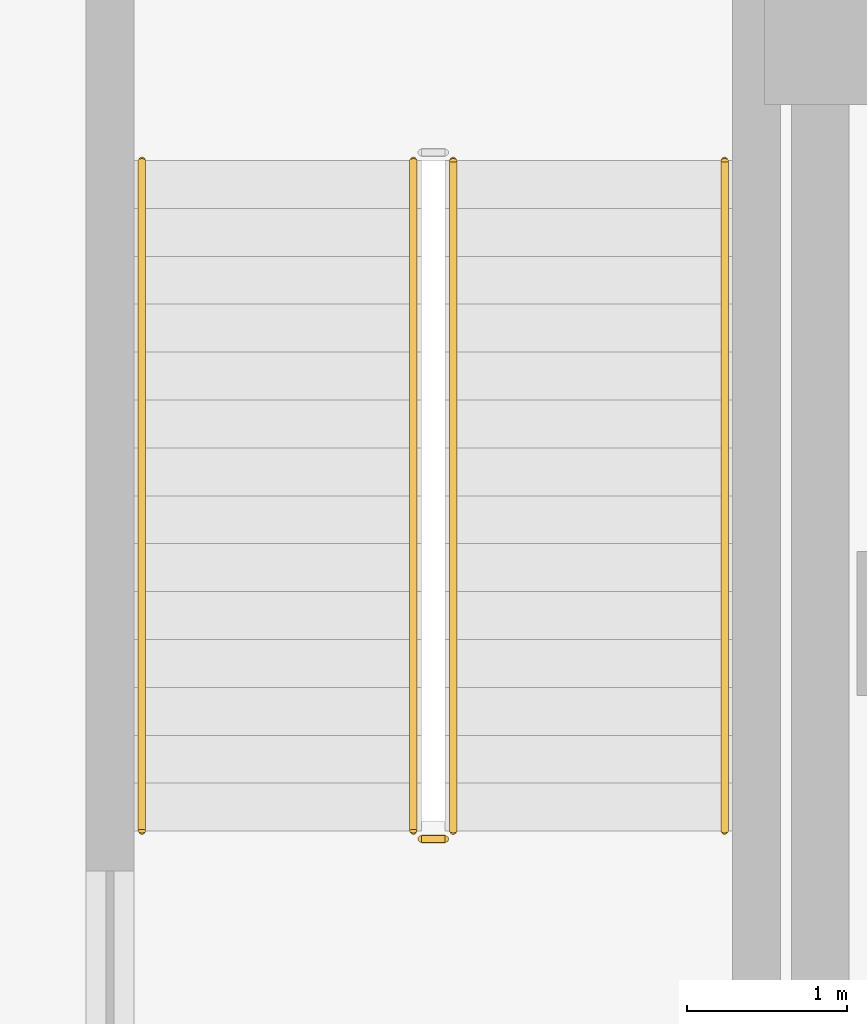
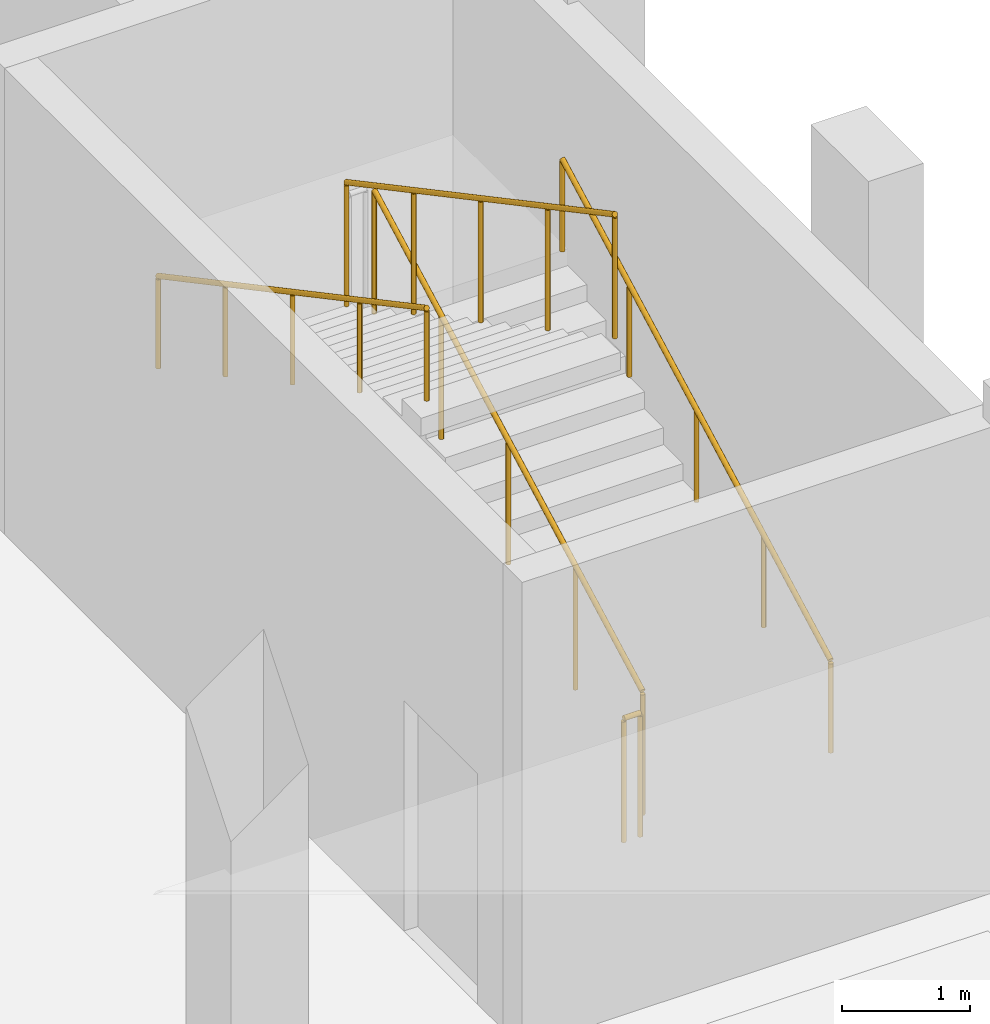
# One storey, part 55 of 59: 5 railings.
"""IFC4 building model written with IfcOpenShell, lengths in metres."""

from ifc_helpers import new_model, si_unit, direction, frame, origin, origin_2d, place, context, subcontext, project, spatial, circle, extrude, material, type_object, element, save


model = new_model("IFC4")

# Units and contexts
model_context = context("Model", 3, precision=1e-05, world=origin(), true_north=direction((0.0, 1.0)))
body_context = subcontext(model_context, "Body", "Model", "MODEL_VIEW")
ifc_project = project(units=[si_unit("LENGTHUNIT", "METRE"), si_unit("AREAUNIT", "SQUARE_METRE"), si_unit("VOLUMEUNIT", "CUBIC_METRE"), si_unit("PLANEANGLEUNIT", "RADIAN"), si_unit("MASSUNIT", "GRAM", prefix="KILO")], contexts=[model_context])

# Site, building, storey
site_placement = place(None, origin())
site = spatial("IfcSite", under=ifc_project, at=site_placement, CompositionType="ELEMENT")
building_placement = place(site_placement, origin())
building = spatial("IfcBuilding", under=site, at=building_placement, Name="Valkovuoma Quantum and Materials Research Institute", CompositionType="ELEMENT")
storey_placement = place(building_placement, origin())
storey = spatial("IfcBuildingStorey", under=building, at=storey_placement, Name="L00", CompositionType="ELEMENT", Elevation=0.0)

# Railings
ifc_material_1 = material(Name="Painted steel stair balustrade", Category="steel")
railing_type_1 = type_object("IfcRailingType", Name="Rail-GRD-ST", PredefinedType="BALUSTRADE", material=ifc_material_1)
railing_1_placement = place(storey_placement, frame((163.300048828125, 59.89990234375, 0.159912109375)))
element("IfcRailing", 1, at=railing_1_placement, inside=storey, type_object=railing_type_1, Name="L00 ST-3 stair guard 1", PredefinedType="BALUSTRADE", context=body_context, shape_type="SweptSolid", body=[
    extrude(circle(Radius=0.02392578125, at=origin_2d()), frame((0.0, 0.0, 1.17578125), z_axis=(0.0, 0.882362879185, 0.470569601054), x_axis=(-1.0, 0.0, 0.0)), (0.0, 0.0, 1.0), 4.76025390625),
    extrude(circle(Radius=0.02099609375, at=origin_2d()), origin(), (0.0, 0.0, 1.0), 1.15185546875),
    extrude(circle(Radius=0.02099609375, at=origin_2d()), frame((0.0, 1.050048828125, 0.56005859375)), (0.0, 0.0, 1.0), 1.15185546875),
    extrude(circle(Radius=0.02099609375, at=origin_2d()), frame((0.0, 2.10009765625, 1.1201171875)), (0.0, 0.0, 1.0), 1.15185546875),
    extrude(circle(Radius=0.02099609375, at=origin_2d()), frame((0.0, 3.150146484375, 1.679931640625)), (0.0, 0.0, 1.0), 1.15185546875),
    extrude(circle(Radius=0.02099609375, at=origin_2d()), frame((0.0, 4.2001953125, 2.239990234375)), (0.0, 0.0, 1.0), 1.15185546875),
])
railing_2_placement = place(storey_placement, frame((163.050048828125, 64.10009765625, 2.56005859375)))
element("IfcRailing", 2, at=railing_2_placement, inside=storey, type_object=railing_type_1, Name="L00 ST-3 stair guard 3", PredefinedType="BALUSTRADE", context=body_context, shape_type="SweptSolid", body=[
    extrude(circle(Radius=0.02392578125, at=origin_2d()), frame((0.0, 0.0, 1.17578125), z_axis=(0.0, -0.882362879185, 0.470569601054), x_axis=(1.0, 0.0, 0.0)), (0.0, 0.0, 1.0), 4.76025390625),
    extrude(circle(Radius=0.02099609375, at=origin_2d()), origin(), (0.0, 0.0, 1.0), 1.15185546875),
    extrude(circle(Radius=0.02099609375, at=origin_2d()), frame((0.0, -1.050048828125, 0.56005859375)), (0.0, 0.0, 1.0), 1.15185546875),
    extrude(circle(Radius=0.02099609375, at=origin_2d()), frame((0.0, -2.10009765625, 1.1201171875)), (0.0, 0.0, 1.0), 1.15185546875),
    extrude(circle(Radius=0.02099609375, at=origin_2d()), frame((0.0, -3.150146484375, 1.679931640625)), (0.0, 0.0, 1.0), 1.15185546875),
    extrude(circle(Radius=0.02099609375, at=origin_2d()), frame((0.0, -4.2001953125, 2.239990234375)), (0.0, 0.0, 1.0), 1.15185546875),
])
railing_3_placement = place(storey_placement, frame((163.25, 59.85009765625, 0.0)))
element("IfcRailing", 3, at=railing_3_placement, inside=storey, type_object=railing_type_1, Name="L00 ST-3 stair guard 4", PredefinedType="BALUSTRADE", context=body_context, shape_type="SweptSolid", body=[
    extrude(circle(Radius=0.02392578125, at=origin_2d()), frame((0.0, 0.0, 1.17578125), z_axis=(-1.0, 0.0, 0.0), x_axis=(0.0, -1.0, 0.0)), (0.0, 0.0, 1.0), 0.14990234375),
    extrude(circle(Radius=0.02099609375, at=origin_2d()), origin(), (0.0, 0.0, 1.0), 1.15185546875),
    extrude(circle(Radius=0.02099609375, at=origin_2d()), frame((-0.14990234375, 0.0, 0.0)), (0.0, 0.0, 1.0), 1.15185546875),
])
ifc_material_2 = material(Name="Brushed stainless steel handrail", Category="steel")
railing_type_2 = type_object("IfcRailingType", Name="Rail-HR-ST", PredefinedType="HANDRAIL", material=ifc_material_2)
railing_4_placement = place(storey_placement, frame((165.0, 59.89990234375, 0.159912109375)))
element("IfcRailing", 4, at=railing_4_placement, inside=storey, type_object=railing_type_2, Name="L00 ST-3 stair handrail 1", PredefinedType="HANDRAIL", context=body_context, shape_type="SweptSolid", body=[
    extrude(circle(Radius=0.02392578125, at=origin_2d()), frame((0.0, 0.0, 0.8759765625), z_axis=(0.0, 0.882362879185, 0.470569601054), x_axis=(-1.0, 0.0, 0.0)), (0.0, 0.0, 1.0), 4.76025390625),
    extrude(circle(Radius=0.02099609375, at=origin_2d()), origin(), (0.0, 0.0, 1.0), 0.851806640625),
    extrude(circle(Radius=0.02099609375, at=origin_2d()), frame((0.0, 1.050048828125, 0.56005859375)), (0.0, 0.0, 1.0), 0.851806640625),
    extrude(circle(Radius=0.02099609375, at=origin_2d()), frame((0.0, 2.10009765625, 1.1201171875)), (0.0, 0.0, 1.0), 0.851806640625),
    extrude(circle(Radius=0.02099609375, at=origin_2d()), frame((0.0, 3.150146484375, 1.679931640625)), (0.0, 0.0, 1.0), 0.851806640625),
    extrude(circle(Radius=0.02099609375, at=origin_2d()), frame((0.0, 4.2001953125, 2.239990234375)), (0.0, 0.0, 1.0), 0.851806640625),
])
railing_5_placement = place(storey_placement, frame((161.35009765625, 64.10009765625, 2.56005859375)))
element("IfcRailing", 5, at=railing_5_placement, inside=storey, type_object=railing_type_2, Name="L00 ST-3 stair handrail 2", PredefinedType="HANDRAIL", context=body_context, shape_type="SweptSolid", body=[
    extrude(circle(Radius=0.02392578125, at=origin_2d()), frame((0.0, 0.0, 0.8759765625), z_axis=(0.0, -0.882362879185, 0.470569601054), x_axis=(1.0, 0.0, 0.0)), (0.0, 0.0, 1.0), 4.76025390625),
    extrude(circle(Radius=0.02099609375, at=origin_2d()), origin(), (0.0, 0.0, 1.0), 0.851806640625),
    extrude(circle(Radius=0.02099609375, at=origin_2d()), frame((0.0, -1.050048828125, 0.56005859375)), (0.0, 0.0, 1.0), 0.851806640625),
    extrude(circle(Radius=0.02099609375, at=origin_2d()), frame((0.0, -2.10009765625, 1.1201171875)), (0.0, 0.0, 1.0), 0.851806640625),
    extrude(circle(Radius=0.02099609375, at=origin_2d()), frame((0.0, -3.150146484375, 1.679931640625)), (0.0, 0.0, 1.0), 0.851806640625),
    extrude(circle(Radius=0.02099609375, at=origin_2d()), frame((0.0, -4.2001953125, 2.239990234375)), (0.0, 0.0, 1.0), 0.851806640625),
])

save(model, "model.ifc")
